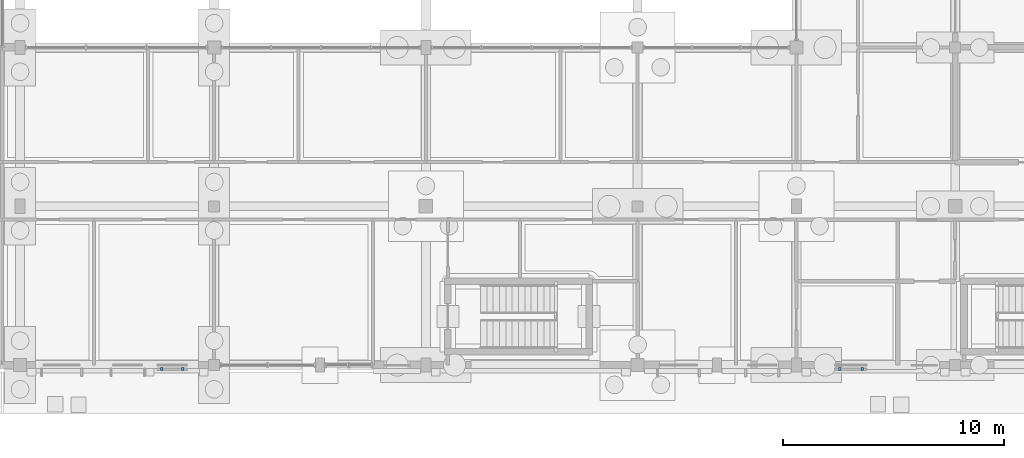
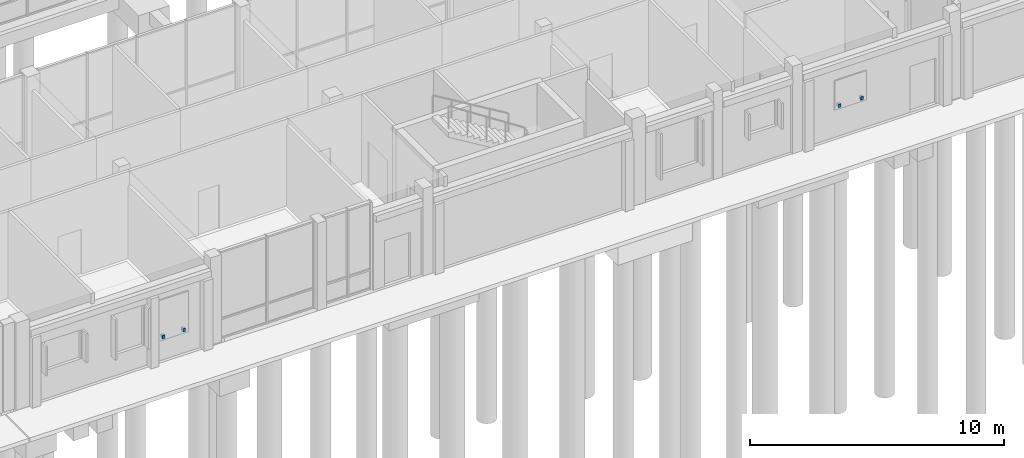
# One storey, part 88 of 104: 4 discrete accessories.
"""IFC4 building model written with IfcOpenShell, lengths in metres."""

from ifc_helpers import new_model, si_unit, direction, frame, origin, origin_2d, place, context, subcontext, project, spatial, rectangle, extrude, material, type_object, element, save


model = new_model("IFC4")

# Units and contexts
model_context = context("Model", 3, precision=1e-05, world=origin(), true_north=direction((0.0, 1.0)))
body_context = subcontext(model_context, "Body", "Model", "MODEL_VIEW")
ifc_project = project(units=[si_unit("LENGTHUNIT", "METRE"), si_unit("AREAUNIT", "SQUARE_METRE"), si_unit("VOLUMEUNIT", "CUBIC_METRE"), si_unit("PLANEANGLEUNIT", "RADIAN"), si_unit("MASSUNIT", "GRAM", prefix="KILO")], contexts=[model_context])

# Site, building, storey
site_placement = place(None, origin())
site = spatial("IfcSite", under=ifc_project, at=site_placement, CompositionType="ELEMENT")
building_placement = place(site_placement, origin())
building = spatial("IfcBuilding", under=site, at=building_placement, Name="Hawrajan Terrace Health Centre", CompositionType="ELEMENT")
storey_placement = place(building_placement, origin())
storey = spatial("IfcBuildingStorey", under=building, at=storey_placement, Name="L00", CompositionType="ELEMENT", Elevation=0.0)

# Discrete accessories
ifc_material = material(Name="Steel S355", Category="steel")
discrete_accessory_type = type_object("IfcDiscreteAccessoryType", Name="FacadeBracket_S355", PredefinedType="BRACKET", material=ifc_material)
for number, where, z_axis, x_axis, name in (
    (1, (79.031005859375, 4.02001953125, 1.06982421875), (0.0, 0.0, 1.0), (1.0, 0.0, 0.0), "Roshan support bracket BRK-L00-037-1"),
    (2, (79.968994140625, 4.02001953125, 1.06982421875), (0.0, 0.0, 1.0), (1.0, 0.0, 0.0), "Roshan support bracket BRK-L00-037-2"),
    (3, (109.764892578125, 4.02001953125, 1.419921875), (0.0, 0.0, 1.0), (1.0, 0.0, 0.0), "Roshan support bracket BRK-L00-042-1"),
    (4, (110.780029296875, 4.02001953125, 1.419921875), (0.0, 0.0, 1.0), (1.0, 0.0, 0.0), "Roshan support bracket BRK-L00-042-2"),
):
    element("IfcDiscreteAccessory", number, at=place(storey_placement, frame(where, z_axis=z_axis, x_axis=x_axis)), inside=storey, type_object=discrete_accessory_type, Name=name, PredefinedType="BRACKET", context=body_context, shape_type="SweptSolid", body=[
        extrude(rectangle(XDim=0.1201171875, YDim=0.139892578125, at=origin_2d()), origin(), (0.0, 0.0, 1.0), 0.159912109375),
    ])

save(model, "model.ifc")
